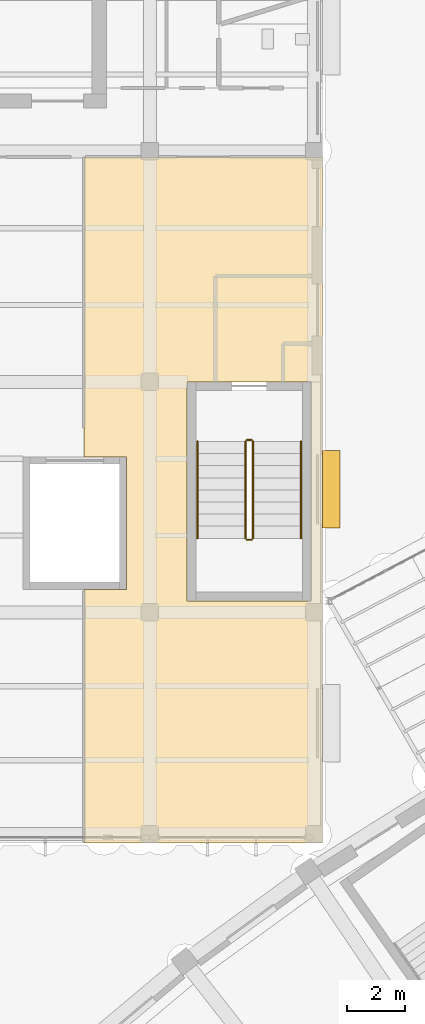
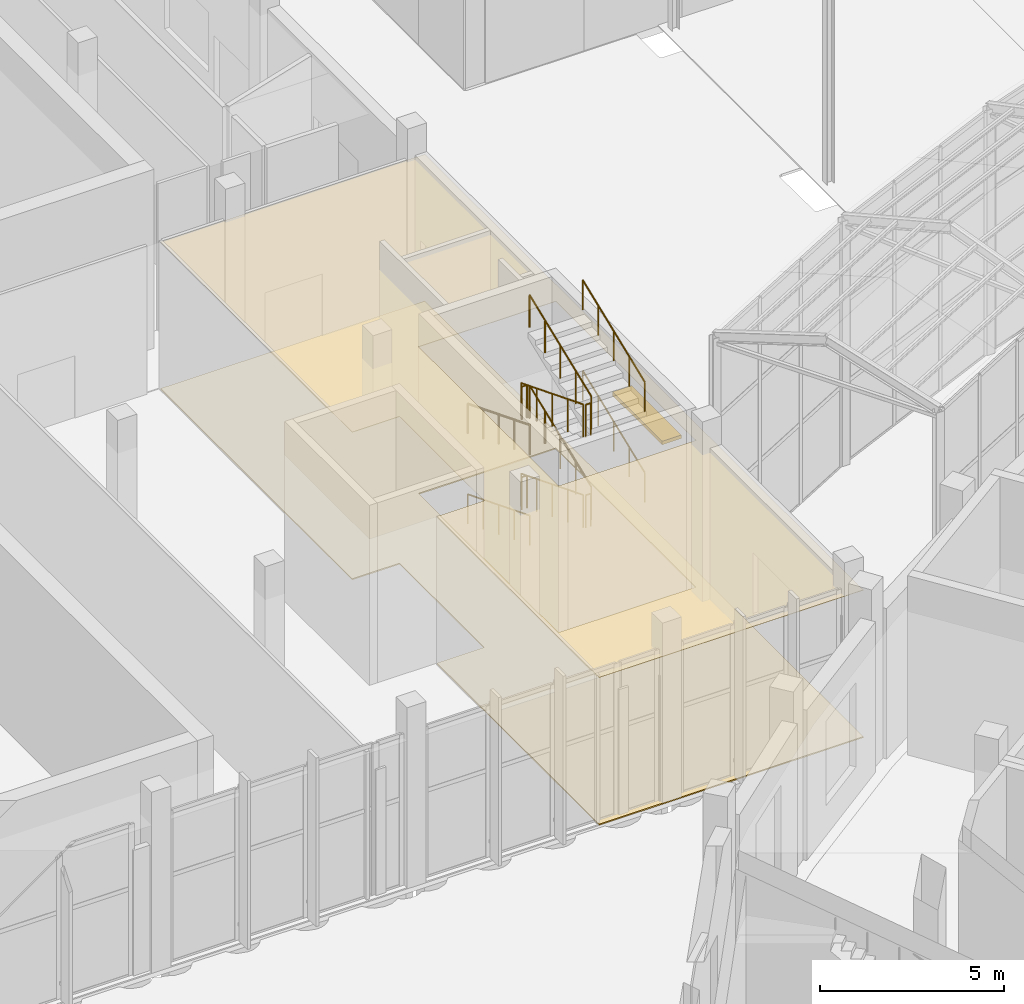
# One storey, part 128 of 155: 12 railings, 2 coverings, 1 shading device.
"""IFC4 building model written with IfcOpenShell, lengths in metres."""

from ifc_helpers import new_model, si_unit, direction, frame, origin, origin_2d, place, context, subcontext, project, spatial, polyline, rectangle, circle, outline, extrude, material, layer, layer_set, type_object, element, save


model = new_model("IFC4")

# Units and contexts
model_context = context("Model", 3, precision=1e-05, world=origin(), true_north=direction((0.0, 1.0)))
body_context = subcontext(model_context, "Body", "Model", "MODEL_VIEW")
ifc_project = project(units=[si_unit("LENGTHUNIT", "METRE"), si_unit("AREAUNIT", "SQUARE_METRE"), si_unit("VOLUMEUNIT", "CUBIC_METRE"), si_unit("PLANEANGLEUNIT", "RADIAN"), si_unit("MASSUNIT", "GRAM", prefix="KILO")], contexts=[model_context])

# Site, building, storey
site_placement = place(None, origin())
site = spatial("IfcSite", under=ifc_project, at=site_placement, CompositionType="ELEMENT")
building_placement = place(site_placement, origin())
building = spatial("IfcBuilding", under=site, at=building_placement, Name="Lunette Opera House", CompositionType="ELEMENT")
storey_placement = place(building_placement, origin())
storey = spatial("IfcBuildingStorey", under=building, at=storey_placement, Name="L00", CompositionType="ELEMENT", Elevation=0.0)

# Railings
ifc_material_1 = material(Name="Steel S355", Category="steel")
railing_type_1 = type_object("IfcRailingType", Name="STAIR GUARD 1100", PredefinedType="GUARDRAIL", material=ifc_material_1)
railing_1_placement = place(storey_placement, frame((51.320068359375, 77.929931640625, 0.166748046875)))
element("IfcRailing", 1, at=railing_1_placement, inside=storey, type_object=railing_type_1, Name="L00 ST16 stair guard 1", PredefinedType="GUARDRAIL", context=body_context, shape_type="SweptSolid", body=[
    extrude(circle(Radius=0.02392578125, at=origin_2d()), frame((0.0, 0.0, 1.076171875), z_axis=(0.0, -0.929493283981, 0.368839036755), x_axis=(1.0, 0.0, 0.0)), (0.0, 0.0, 1.0), 3.61474609375),
    extrude(circle(Radius=0.02099609375, at=origin_2d()), origin(), (0.0, 0.0, 1.0), 1.052001953125),
    extrude(circle(Radius=0.02099609375, at=origin_2d()), frame((0.0, -0.83984375, 0.333251953125)), (0.0, 0.0, 1.0), 1.052001953125),
    extrude(circle(Radius=0.02099609375, at=origin_2d()), frame((0.0, -1.679931640625, 0.66650390625)), (0.0, 0.0, 1.0), 1.052001953125),
    extrude(circle(Radius=0.02099609375, at=origin_2d()), frame((0.0, -2.52001953125, 1.0)), (0.0, 0.0, 1.0), 1.052001953125),
    extrude(circle(Radius=0.02099609375, at=origin_2d()), frame((0.0, -3.35986328125, 1.333251953125)), (0.0, 0.0, 1.0), 1.052001953125),
])
railing_2_placement = place(storey_placement, frame((51.3701171875, 74.52001953125, 1.5)))
element("IfcRailing", 2, at=railing_2_placement, inside=storey, type_object=railing_type_1, Name="L00 ST16 stair guard 2", PredefinedType="GUARDRAIL", context=body_context, shape_type="SweptSolid", body=[
    extrude(circle(Radius=0.02392578125, at=origin_2d()), frame((0.0, 0.0, 1.076171875), z_axis=(1.0, 0.0, 0.0), x_axis=(0.0, 1.0, 0.0)), (0.0, 0.0, 1.0), 0.159912109375),
    extrude(circle(Radius=0.02099609375, at=origin_2d()), origin(), (0.0, 0.0, 1.0), 1.052001953125),
    extrude(circle(Radius=0.02099609375, at=origin_2d()), frame((0.159912109375, 0.0, 0.0)), (0.0, 0.0, 1.0), 1.052001953125),
])
railing_3_placement = place(storey_placement, frame((51.580078125, 74.570068359375, 1.666748046875)))
element("IfcRailing", 3, at=railing_3_placement, inside=storey, type_object=railing_type_1, Name="L00 ST16 stair guard 3", PredefinedType="GUARDRAIL", context=body_context, shape_type="SweptSolid", body=[
    extrude(circle(Radius=0.02392578125, at=origin_2d()), frame((0.0, 0.0, 1.076171875), z_axis=(0.0, 0.929493283981, 0.368839036755), x_axis=(-1.0, 0.0, 0.0)), (0.0, 0.0, 1.0), 3.61474609375),
    extrude(circle(Radius=0.02099609375, at=origin_2d()), origin(), (0.0, 0.0, 1.0), 1.052001953125),
    extrude(circle(Radius=0.02099609375, at=origin_2d()), frame((0.0, 0.83984375, 0.333251953125)), (0.0, 0.0, 1.0), 1.052001953125),
    extrude(circle(Radius=0.02099609375, at=origin_2d()), frame((0.0, 1.679931640625, 0.66650390625)), (0.0, 0.0, 1.0), 1.052001953125),
    extrude(circle(Radius=0.02099609375, at=origin_2d()), frame((0.0, 2.52001953125, 1.0)), (0.0, 0.0, 1.0), 1.052001953125),
    extrude(circle(Radius=0.02099609375, at=origin_2d()), frame((0.0, 3.35986328125, 1.333251953125)), (0.0, 0.0, 1.0), 1.052001953125),
])
railing_4_placement = place(storey_placement, frame((51.3701171875, 77.97998046875, 3.0)))
element("IfcRailing", 4, at=railing_4_placement, inside=storey, type_object=railing_type_1, Name="L00 ST16 stair guard 4", PredefinedType="GUARDRAIL", context=body_context, shape_type="SweptSolid", body=[
    extrude(circle(Radius=0.02392578125, at=origin_2d()), frame((0.0, 0.0, 1.076171875), z_axis=(1.0, 0.0, 0.0), x_axis=(0.0, 1.0, 0.0)), (0.0, 0.0, 1.0), 0.159912109375),
    extrude(circle(Radius=0.02099609375, at=origin_2d()), origin(), (0.0, 0.0, 1.0), 1.052001953125),
    extrude(circle(Radius=0.02099609375, at=origin_2d()), frame((0.159912109375, 0.0, 0.0)), (0.0, 0.0, 1.0), 1.052001953125),
])
railing_5_placement = place(storey_placement, frame((51.320068359375, 77.929931640625, 3.166748046875)))
element("IfcRailing", 5, at=railing_5_placement, inside=storey, type_object=railing_type_1, Name="L00 ST16 stair guard 5", PredefinedType="GUARDRAIL", context=body_context, shape_type="SweptSolid", body=[
    extrude(circle(Radius=0.02392578125, at=origin_2d()), frame((0.0, 0.0, 1.076171875), z_axis=(0.0, -0.929493283981, 0.368839036755), x_axis=(1.0, 0.0, 0.0)), (0.0, 0.0, 1.0), 3.61474609375),
    extrude(circle(Radius=0.02099609375, at=origin_2d()), origin(), (0.0, 0.0, 1.0), 1.052001953125),
    extrude(circle(Radius=0.02099609375, at=origin_2d()), frame((0.0, -0.83984375, 0.333251953125)), (0.0, 0.0, 1.0), 1.052001953125),
    extrude(circle(Radius=0.02099609375, at=origin_2d()), frame((0.0, -1.679931640625, 0.66650390625)), (0.0, 0.0, 1.0), 1.052001953125),
    extrude(circle(Radius=0.02099609375, at=origin_2d()), frame((0.0, -2.52001953125, 1.0)), (0.0, 0.0, 1.0), 1.052001953125),
    extrude(circle(Radius=0.02099609375, at=origin_2d()), frame((0.0, -3.35986328125, 1.333251953125)), (0.0, 0.0, 1.0), 1.052001953125),
])
railing_6_placement = place(storey_placement, frame((51.3701171875, 74.52001953125, 4.5)))
element("IfcRailing", 6, at=railing_6_placement, inside=storey, type_object=railing_type_1, Name="L00 ST16 stair guard 6", PredefinedType="GUARDRAIL", context=body_context, shape_type="SweptSolid", body=[
    extrude(circle(Radius=0.02392578125, at=origin_2d()), frame((0.0, 0.0, 1.076171875), z_axis=(1.0, 0.0, 0.0), x_axis=(0.0, 1.0, 0.0)), (0.0, 0.0, 1.0), 0.159912109375),
    extrude(circle(Radius=0.02099609375, at=origin_2d()), origin(), (0.0, 0.0, 1.0), 1.052001953125),
    extrude(circle(Radius=0.02099609375, at=origin_2d()), frame((0.159912109375, 0.0, 0.0)), (0.0, 0.0, 1.0), 1.052001953125),
])
railing_7_placement = place(storey_placement, frame((51.580078125, 74.570068359375, 4.666748046875)))
element("IfcRailing", 7, at=railing_7_placement, inside=storey, type_object=railing_type_1, Name="L00 ST16 stair guard 7", PredefinedType="GUARDRAIL", context=body_context, shape_type="SweptSolid", body=[
    extrude(circle(Radius=0.02392578125, at=origin_2d()), frame((0.0, 0.0, 1.076171875), z_axis=(0.0, 0.929493283981, 0.368839036755), x_axis=(-1.0, 0.0, 0.0)), (0.0, 0.0, 1.0), 3.61474609375),
    extrude(circle(Radius=0.02099609375, at=origin_2d()), origin(), (0.0, 0.0, 1.0), 1.052001953125),
    extrude(circle(Radius=0.02099609375, at=origin_2d()), frame((0.0, 0.83984375, 0.333251953125)), (0.0, 0.0, 1.0), 1.052001953125),
    extrude(circle(Radius=0.02099609375, at=origin_2d()), frame((0.0, 1.679931640625, 0.66650390625)), (0.0, 0.0, 1.0), 1.052001953125),
    extrude(circle(Radius=0.02099609375, at=origin_2d()), frame((0.0, 2.52001953125, 1.0)), (0.0, 0.0, 1.0), 1.052001953125),
    extrude(circle(Radius=0.02099609375, at=origin_2d()), frame((0.0, 3.35986328125, 1.333251953125)), (0.0, 0.0, 1.0), 1.052001953125),
])
railing_8_placement = place(storey_placement, frame((51.3701171875, 77.97998046875, 0.0)))
element("IfcRailing", 8, at=railing_8_placement, inside=storey, type_object=railing_type_1, Name="L00 ST16 stair guard 8", PredefinedType="GUARDRAIL", context=body_context, shape_type="SweptSolid", body=[
    extrude(circle(Radius=0.02392578125, at=origin_2d()), frame((0.0, 0.0, 1.076171875), z_axis=(1.0, 0.0, 0.0), x_axis=(0.0, 1.0, 0.0)), (0.0, 0.0, 1.0), 0.159912109375),
    extrude(circle(Radius=0.02099609375, at=origin_2d()), origin(), (0.0, 0.0, 1.0), 1.052001953125),
    extrude(circle(Radius=0.02099609375, at=origin_2d()), frame((0.159912109375, 0.0, 0.0)), (0.0, 0.0, 1.0), 1.052001953125),
])
ifc_material_2 = material(Name="Steel S355", Category="steel")
railing_type_2 = type_object("IfcRailingType", Name="STAIR HANDRAIL 1000", PredefinedType="HANDRAIL", material=ifc_material_2)
railing_9_placement = place(storey_placement, frame((49.64990234375, 77.929931640625, 0.166748046875)))
element("IfcRailing", 9, at=railing_9_placement, inside=storey, type_object=railing_type_2, Name="L00 ST16 stair handrail 1", PredefinedType="HANDRAIL", context=body_context, shape_type="SweptSolid", body=[
    extrude(circle(Radius=0.02392578125, at=origin_2d()), frame((0.0, 0.0, 0.97607421875), z_axis=(0.0, -0.929493283981, 0.368839036755), x_axis=(1.0, 0.0, 0.0)), (0.0, 0.0, 1.0), 3.61474609375),
    extrude(circle(Radius=0.02099609375, at=origin_2d()), origin(), (0.0, 0.0, 1.0), 0.951904296875),
    extrude(circle(Radius=0.02099609375, at=origin_2d()), frame((0.0, -0.83984375, 0.333251953125)), (0.0, 0.0, 1.0), 0.951904296875),
    extrude(circle(Radius=0.02099609375, at=origin_2d()), frame((0.0, -1.679931640625, 0.66650390625)), (0.0, 0.0, 1.0), 0.951904296875),
    extrude(circle(Radius=0.02099609375, at=origin_2d()), frame((0.0, -2.52001953125, 1.0)), (0.0, 0.0, 1.0), 0.951904296875),
    extrude(circle(Radius=0.02099609375, at=origin_2d()), frame((0.0, -3.35986328125, 1.333251953125)), (0.0, 0.0, 1.0), 0.951904296875),
])
railing_10_placement = place(storey_placement, frame((53.25, 74.570068359375, 1.666748046875)))
element("IfcRailing", 10, at=railing_10_placement, inside=storey, type_object=railing_type_2, Name="L00 ST16 stair handrail 2", PredefinedType="HANDRAIL", context=body_context, shape_type="SweptSolid", body=[
    extrude(circle(Radius=0.02392578125, at=origin_2d()), frame((0.0, 0.0, 0.97607421875), z_axis=(0.0, 0.929493283981, 0.368839036755), x_axis=(-1.0, 0.0, 0.0)), (0.0, 0.0, 1.0), 3.61474609375),
    extrude(circle(Radius=0.02099609375, at=origin_2d()), origin(), (0.0, 0.0, 1.0), 0.951904296875),
    extrude(circle(Radius=0.02099609375, at=origin_2d()), frame((0.0, 0.83984375, 0.333251953125)), (0.0, 0.0, 1.0), 0.951904296875),
    extrude(circle(Radius=0.02099609375, at=origin_2d()), frame((0.0, 1.679931640625, 0.66650390625)), (0.0, 0.0, 1.0), 0.951904296875),
    extrude(circle(Radius=0.02099609375, at=origin_2d()), frame((0.0, 2.52001953125, 1.0)), (0.0, 0.0, 1.0), 0.951904296875),
    extrude(circle(Radius=0.02099609375, at=origin_2d()), frame((0.0, 3.35986328125, 1.333251953125)), (0.0, 0.0, 1.0), 0.951904296875),
])
railing_11_placement = place(storey_placement, frame((49.64990234375, 77.929931640625, 3.166748046875)))
element("IfcRailing", 11, at=railing_11_placement, inside=storey, type_object=railing_type_2, Name="L00 ST16 stair handrail 3", PredefinedType="HANDRAIL", context=body_context, shape_type="SweptSolid", body=[
    extrude(circle(Radius=0.02392578125, at=origin_2d()), frame((0.0, 0.0, 0.97607421875), z_axis=(0.0, -0.929493283981, 0.368839036755), x_axis=(1.0, 0.0, 0.0)), (0.0, 0.0, 1.0), 3.61474609375),
    extrude(circle(Radius=0.02099609375, at=origin_2d()), origin(), (0.0, 0.0, 1.0), 0.951904296875),
    extrude(circle(Radius=0.02099609375, at=origin_2d()), frame((0.0, -0.83984375, 0.333251953125)), (0.0, 0.0, 1.0), 0.951904296875),
    extrude(circle(Radius=0.02099609375, at=origin_2d()), frame((0.0, -1.679931640625, 0.66650390625)), (0.0, 0.0, 1.0), 0.951904296875),
    extrude(circle(Radius=0.02099609375, at=origin_2d()), frame((0.0, -2.52001953125, 1.0)), (0.0, 0.0, 1.0), 0.951904296875),
    extrude(circle(Radius=0.02099609375, at=origin_2d()), frame((0.0, -3.35986328125, 1.333251953125)), (0.0, 0.0, 1.0), 0.951904296875),
])
railing_12_placement = place(storey_placement, frame((53.25, 74.570068359375, 4.666748046875)))
element("IfcRailing", 12, at=railing_12_placement, inside=storey, type_object=railing_type_2, Name="L00 ST16 stair handrail 4", PredefinedType="HANDRAIL", context=body_context, shape_type="SweptSolid", body=[
    extrude(circle(Radius=0.02392578125, at=origin_2d()), frame((0.0, 0.0, 0.97607421875), z_axis=(0.0, 0.929493283981, 0.368839036755), x_axis=(-1.0, 0.0, 0.0)), (0.0, 0.0, 1.0), 3.61474609375),
    extrude(circle(Radius=0.02099609375, at=origin_2d()), origin(), (0.0, 0.0, 1.0), 0.951904296875),
    extrude(circle(Radius=0.02099609375, at=origin_2d()), frame((0.0, 0.83984375, 0.333251953125)), (0.0, 0.0, 1.0), 0.951904296875),
    extrude(circle(Radius=0.02099609375, at=origin_2d()), frame((0.0, 1.679931640625, 0.66650390625)), (0.0, 0.0, 1.0), 0.951904296875),
    extrude(circle(Radius=0.02099609375, at=origin_2d()), frame((0.0, 2.52001953125, 1.0)), (0.0, 0.0, 1.0), 0.951904296875),
    extrude(circle(Radius=0.02099609375, at=origin_2d()), frame((0.0, 3.35986328125, 1.333251953125)), (0.0, 0.0, 1.0), 0.951904296875),
])

# Coverings
ifc_material_3 = material(Name="Mineral fibre board")
ifc_layer_1 = layer(ifc_material_3, 0.014892578125)
ifc_layer_set_1 = layer_set([ifc_layer_1], Name="Mineral fibre board")
covering_type_1 = type_object("IfcCoveringType", Name="SUSPENDED ACOUSTIC CEILING 15", PredefinedType="CEILING", material=ifc_layer_set_1)
covering_1_placement = place(storey_placement, frame((0.0, 0.0, 4.885009765625)))
element("IfcCovering", 13, at=covering_1_placement, inside=storey, type_object=covering_type_1, Name="Ceiling Artists' Canteen", PredefinedType="CEILING", context=body_context, shape_type="SweptSolid", body=[
    extrude(outline(polyline([(54.0, 64.0), (45.718994140625, 64.0), (45.718994140625, 72.800048828125), (47.199951171875, 72.800048828125), (47.199951171875, 77.39990234375), (45.718994140625, 77.39990234375), (45.718994140625, 87.800048828125), (54.0, 87.800048828125), (54.0, 64.0)]), holes=[polyline([(53.60009765625, 80.0), (49.300048828125, 80.0), (49.300048828125, 72.39990234375), (53.60009765625, 72.39990234375), (53.60009765625, 80.0)])]), origin(), (0.0, 0.0, 1.0), 0.014892578125),
])
ifc_material_4 = material(Name="Timber", Category="wood")
ifc_layer_2 = layer(ifc_material_4, 0.0400390625)
ifc_layer_set_2 = layer_set([ifc_layer_2], Name="Timber")
covering_type_2 = type_object("IfcCoveringType", Name="TIMBER FLOOR FINISH 40", PredefinedType="FLOORING", material=ifc_layer_set_2)
covering_2_placement = place(storey_placement, origin())
element("IfcCovering", 14, at=covering_2_placement, inside=storey, type_object=covering_type_2, Name="Floor finish Artists' Canteen", PredefinedType="FLOORING", context=body_context, shape_type="SweptSolid", body=[
    extrude(outline(polyline([(54.0, 64.0), (45.718994140625, 64.0), (45.718994140625, 72.800048828125), (47.199951171875, 72.800048828125), (47.199951171875, 77.39990234375), (45.718994140625, 77.39990234375), (45.718994140625, 87.800048828125), (54.0, 87.800048828125), (54.0, 64.0)]), holes=[polyline([(53.60009765625, 80.0), (49.300048828125, 80.0), (49.300048828125, 72.39990234375), (53.60009765625, 72.39990234375), (53.60009765625, 80.0)])]), origin(), (0.0, 0.0, 1.0), 0.0400390625),
])

# Shading device
ifc_material_5 = material(Name="Powder-coated aluminium", Category="aluminium")
ifc_layer_3 = layer(ifc_material_5, 0.1201171875)
ifc_layer_set_3 = layer_set([ifc_layer_3], Name="Powder-coated aluminium")
shading_device_type = type_object("IfcShadingDeviceType", Name="WINDOW HOOD 600 X 2700", PredefinedType="USERDEFINED", material=ifc_layer_set_3)
shading_device_placement = place(storey_placement, frame((54.300048828125, 76.27294921875, 3.079833984375), z_axis=(0.0, 0.0, 1.0), x_axis=(1.0, 0.0, 0.0)))
element("IfcShadingDevice", 15, at=shading_device_placement, inside=storey, type_object=shading_device_type, Name="Window hood RW-N2008", ObjectType="WINDOW HOOD", PredefinedType="USERDEFINED", context=body_context, shape_type="SweptSolid", body=[
    extrude(rectangle(XDim=0.60009765625, YDim=2.699951171875, at=origin_2d()), origin(), (0.0, 0.0, 1.0), 0.1201171875),
])

save(model, "model.ifc")
